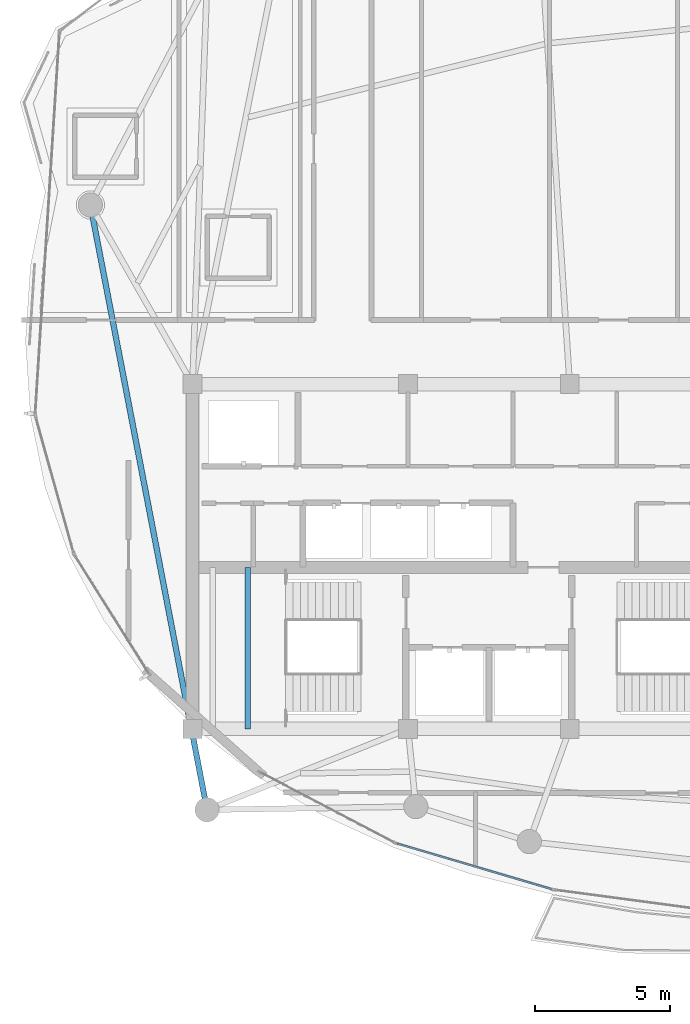
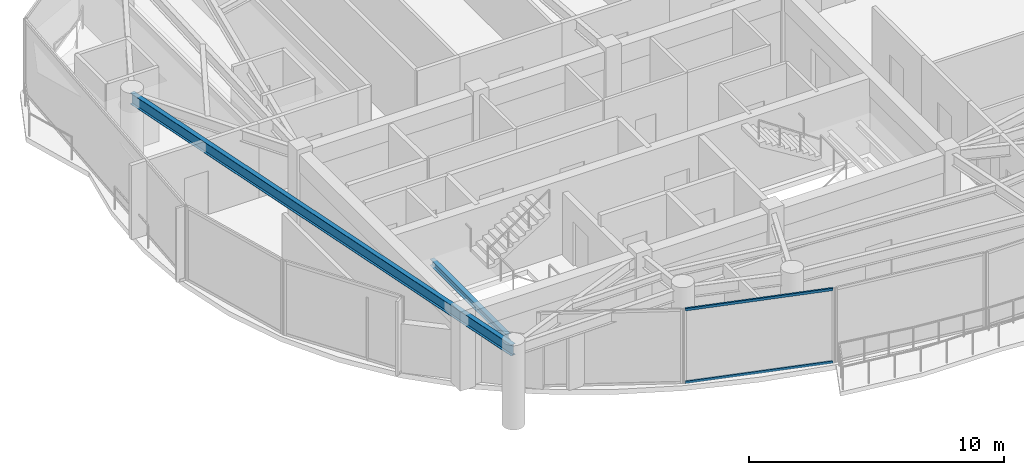
# One storey, part 4 of 30: 2 beams, 2 members, 1 element without a shape of its own.
"""IFC4 building model written with IfcOpenShell, lengths in metres."""

from ifc_helpers import new_model, si_unit, direction, frame, origin, origin_2d, place, context, subcontext, project, spatial, hollow_rectangle, i_section, extrude, material, layer, layer_set, material_profile, profile_set, type_object, element, aggregate, save


model = new_model("IFC4")

# Units and contexts
model_context = context("Model", 3, precision=1e-05, world=origin(), true_north=direction((0.0, 1.0)))
body_context = subcontext(model_context, "Body", "Model", "MODEL_VIEW")
ifc_project = project(units=[si_unit("LENGTHUNIT", "METRE"), si_unit("AREAUNIT", "SQUARE_METRE"), si_unit("VOLUMEUNIT", "CUBIC_METRE"), si_unit("PLANEANGLEUNIT", "RADIAN"), si_unit("MASSUNIT", "GRAM", prefix="KILO")], contexts=[model_context])

# Site, building, storey
site_placement = place(None, origin())
site = spatial("IfcSite", under=ifc_project, at=site_placement, CompositionType="ELEMENT")
building_placement = place(site_placement, origin())
building = spatial("IfcBuilding", under=site, at=building_placement, Name="Kazevale Care Tower and Concert Hall", CompositionType="ELEMENT")
storey_placement = place(building_placement, frame((0.0, 0.0, 258.60009765625)))
storey = spatial("IfcBuildingStorey", under=building, at=storey_placement, Name="L68", CompositionType="ELEMENT", Elevation=258.60009765625)

# Curtain wall, members
ifc_material_1 = material(Name="Aluminium 6063-T6 and Low-E Glass", Category="aluminium")
ifc_layer = layer(ifc_material_1, 0.179931640625)
ifc_layer_set = layer_set([ifc_layer], Name="Aluminium 6063-T6 and Low-E Glass")
curtain_wall_type = type_object("IfcCurtainWallType", Name="Sheltered Concave Balcony Curtain Wall CW-5", PredefinedType="NOTDEFINED", material=ifc_layer_set)
curtain_wall_placement = place(storey_placement, origin())
curtain_wall = element("IfcCurtainWall", 1, at=curtain_wall_placement, inside=storey, type_object=curtain_wall_type, Name="cw:L68:f08", PredefinedType="NOTDEFINED")
ifc_material_2 = material(Name="Aluminium 6063-T6", Category="aluminium")
ifc_material_profile_1 = material_profile(ifc_material_2, hollow_rectangle(XDim=0.074951171875, YDim=0.1201171875, WallThickness=0.00390625, at=origin_2d()), Name="ALU75x120x4")
ifc_profile_set_1 = profile_set([ifc_material_profile_1], Name="Aluminium 6063-T6")
member_type = type_object("IfcMemberType", Name="CW-5 Transom ALU75x120x4", PredefinedType="USERDEFINED", material=ifc_profile_set_1)
member_1_placement = place(storey_placement, frame((35.321044921875, 17.6552734375, 0.037353515625), z_axis=(-0.959060435573, 0.283201484669, 0.0), x_axis=(-0.283201484669, -0.959060435573, 0.0)))
member_1 = element("IfcMember", 2, at=member_1_placement, type_object=member_type, Name="CW-5 transom 1.1", ObjectType="TRANSOM", PredefinedType="USERDEFINED", context=body_context, shape_type="SweptSolid", body=[
    extrude(hollow_rectangle(XDim=0.074951171875, YDim=0.1201171875, WallThickness=0.00390625, at=origin_2d()), origin(), (0.0, 0.0, 1.0), 5.962158203125),
])
member_2_placement = place(storey_placement, frame((35.321044921875, 17.6552734375, 3.5224609375), z_axis=(-0.959060435573, 0.283201484669, 0.0), x_axis=(-0.283201484669, -0.959060435573, 0.0)))
member_2 = element("IfcMember", 3, at=member_2_placement, type_object=member_type, Name="CW-5 transom 1.2", ObjectType="TRANSOM", PredefinedType="USERDEFINED", context=body_context, shape_type="SweptSolid", body=[
    extrude(hollow_rectangle(XDim=0.074951171875, YDim=0.1201171875, WallThickness=0.00390625, at=origin_2d()), origin(), (0.0, 0.0, 1.0), 5.962158203125),
])
aggregate(curtain_wall, [member_1, member_2])

# Beams
ifc_material_3 = material(Name="Steel ASTM A572 Gr 50", Category="steel")
ifc_material_profile_2 = material_profile(ifc_material_3, i_section(OverallWidth=0.202880859375, OverallDepth=0.302978515625, WebThickness=0.007568359375, FlangeThickness=0.01318359375, at=origin_2d()), Name="W310x60")
ifc_profile_set_2 = profile_set([ifc_material_profile_2], Name="Steel ASTM A572 Gr 50")
beam_type_1 = type_object("IfcBeamType", Name="Stair & Balcony Trimmer W310x60", PredefinedType="BEAM", material=ifc_profile_set_2)
beam_1_placement = place(storey_placement, frame((24.050048828125, 23.60009765625, 1.54833984375), z_axis=(0.0, 1.0, 0.0), x_axis=(-1.0, 0.0, 0.0)))
element("IfcBeam", 4, at=beam_1_placement, inside=storey, type_object=beam_type_1, Name="beam:L68:sttrim:ST1b", PredefinedType="BEAM", context=body_context, shape_type="SweptSolid", body=[
    extrude(i_section(OverallWidth=0.202880859375, OverallDepth=0.302978515625, WebThickness=0.007568359375, FlangeThickness=0.01318359375, at=origin_2d()), origin(), (0.0, 0.0, 1.0), 6.0),
])
ifc_material_profile_3 = material_profile(ifc_material_3, i_section(OverallWidth=0.208984375, OverallDepth=0.532958984375, WebThickness=0.01025390625, FlangeThickness=0.015625, at=origin_2d()), Name="W530x92")
ifc_profile_set_3 = profile_set([ifc_material_profile_3], Name="Steel ASTM A572 Gr 50")
beam_type_2 = type_object("IfcBeamType", Name="Upper Ring Beam W530x92", PredefinedType="BEAM", material=ifc_profile_set_3)
beam_2_placement = place(storey_placement, frame((18.2099609375, 43.050048828125, 3.29345703125), z_axis=(0.189386387255, -0.981902640959, 0.0), x_axis=(0.981902640959, 0.189386387255, 0.0)))
element("IfcBeam", 5, at=beam_2_placement, inside=storey, type_object=beam_type_2, Name="beam:L68:ring:09", PredefinedType="BEAM", context=body_context, shape_type="SweptSolid", body=[
    extrude(i_section(OverallWidth=0.208984375, OverallDepth=0.532958984375, WebThickness=0.01025390625, FlangeThickness=0.015625, at=origin_2d()), origin(), (0.0, 0.0, 1.0), 22.86376953125),
])

save(model, "model.ifc")
